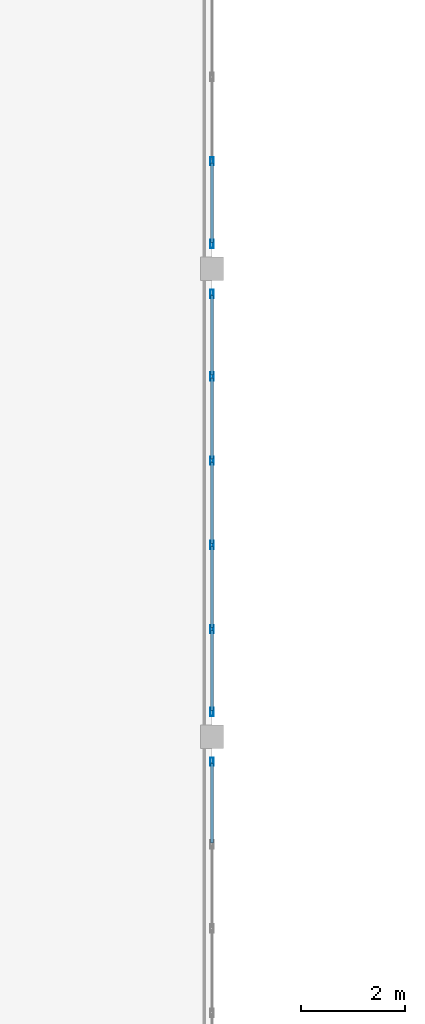
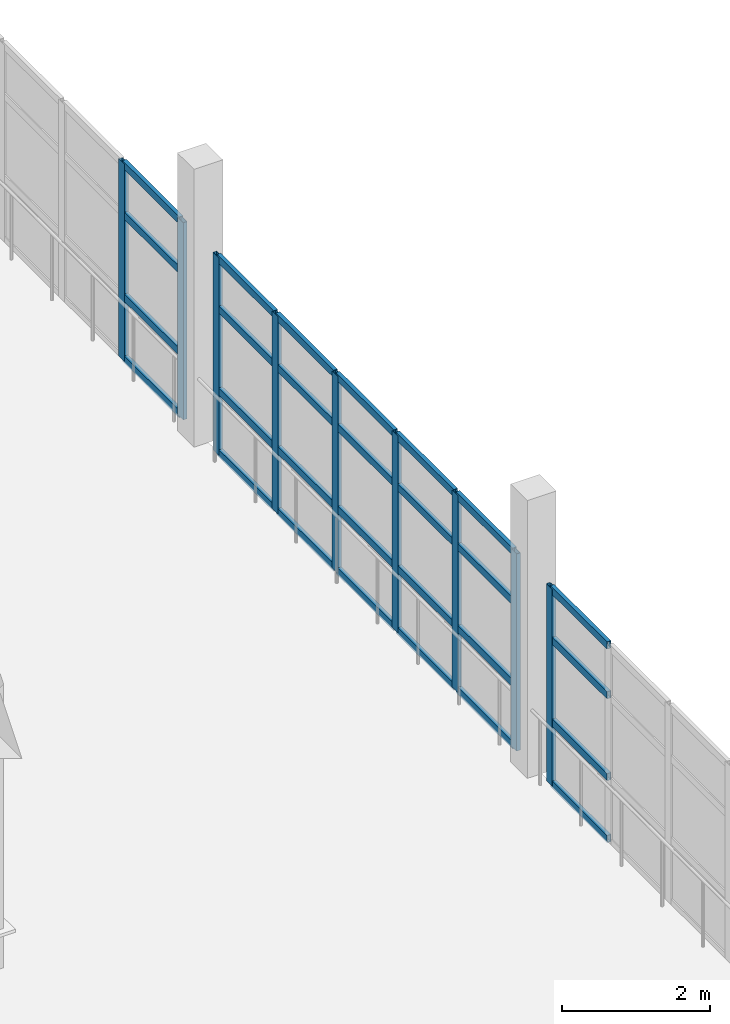
# One storey, part 15 of 80: 37 members, 3 elements without a shape of their own.
"""IFC4 building model written with IfcOpenShell, lengths in metres."""

from ifc_helpers import new_model, si_unit, direction, frame, origin, origin_2d, place, context, subcontext, project, spatial, hollow_rectangle, extrude, material, layer, layer_set, material_profile, profile_set, type_object, element, aggregate, save


model = new_model("IFC4")

# Units and contexts
model_context = context("Model", 3, precision=1e-05, world=origin(), true_north=direction((0.0, 1.0)))
body_context = subcontext(model_context, "Body", "Model", "MODEL_VIEW")
ifc_project = project(units=[si_unit("LENGTHUNIT", "METRE"), si_unit("AREAUNIT", "SQUARE_METRE"), si_unit("VOLUMEUNIT", "CUBIC_METRE"), si_unit("PLANEANGLEUNIT", "RADIAN"), si_unit("MASSUNIT", "GRAM", prefix="KILO")], contexts=[model_context])

# Site, building, storey
site_placement = place(None, origin())
site = spatial("IfcSite", under=ifc_project, at=site_placement, CompositionType="ELEMENT")
building_placement = place(site_placement, origin())
building = spatial("IfcBuilding", under=site, at=building_placement, Name="Ornek Quay Market", CompositionType="ELEMENT")
storey_placement = place(building_placement, frame((0.0, 0.0, 8.39990234375)))
storey = spatial("IfcBuildingStorey", under=building, at=storey_placement, Name="L02", CompositionType="ELEMENT", Elevation=8.39990234375)

# Curtain wall, member
ifc_material_1 = material(Name="Anodised bronze aluminium and triple low-e glass", Category="aluminium")
ifc_layer = layer(ifc_material_1, 0.139892578125, Name="Anodised bronze aluminium and triple low-e glass", Category="aluminium")
ifc_layer_set = layer_set([ifc_layer], Name="Anodised bronze aluminium and triple low-e glass")
curtain_wall_type = type_object("IfcCurtainWallType", Name="CW-GALLERY-INT", PredefinedType="USERDEFINED", material=ifc_layer_set)
curtain_wall_1_placement = place(storey_placement, origin())
curtain_wall_1 = element("IfcCurtainWall", 1, at=curtain_wall_1_placement, inside=storey, type_object=curtain_wall_type, Name="Curtain wall CW-111", ObjectType="CURTAIN WALL", PredefinedType="USERDEFINED")
ifc_material_2 = material(Name="Anodised aluminium 6063-T6", Category="aluminium")
ifc_material_profile_1 = material_profile(ifc_material_2, hollow_rectangle(XDim=0.06005859375, YDim=0.159912109375, WallThickness=0.00390625, at=origin_2d()), Name="CW-MUL-60x160", Category="aluminium")
ifc_profile_set_1 = profile_set([ifc_material_profile_1], Name="Anodised aluminium 6063-T6")
member_type_1 = type_object("IfcMemberType", Name="CW-MUL-60x160", PredefinedType="MULLION", material=ifc_profile_set_1)
member_1_placement = place(storey_placement, frame((72.0, 55.52001953125, 0.0), z_axis=(0.0, 0.0, 1.0), x_axis=(-1.0, 0.0, 0.0)))
member_1 = element("IfcMember", 2, at=member_1_placement, type_object=member_type_1, Name="CW-111 mullion 6", PredefinedType="MULLION", context=body_context, shape_type="SweptSolid", body=[
    extrude(hollow_rectangle(XDim=0.06005859375, YDim=0.159912109375, WallThickness=0.00390625, at=origin_2d()), origin(), (0.0, 0.0, 1.0), 3.25),
])

# Curtain wall, members
curtain_wall_2_placement = place(storey_placement, origin())
curtain_wall_2 = element("IfcCurtainWall", 3, at=curtain_wall_2_placement, inside=storey, type_object=curtain_wall_type, Name="Curtain wall CW-112", ObjectType="CURTAIN WALL", PredefinedType="USERDEFINED")
member_2_placement = place(storey_placement, frame((72.0, 56.47998046875, 0.0), z_axis=(0.0, 0.0, 1.0), x_axis=(-1.0, 0.0, 0.0)))
member_2 = element("IfcMember", 4, at=member_2_placement, type_object=member_type_1, Name="CW-112 mullion 1", PredefinedType="MULLION", context=body_context, shape_type="SweptSolid", body=[
    extrude(hollow_rectangle(XDim=0.06005859375, YDim=0.159912109375, WallThickness=0.00390625, at=origin_2d()), origin(), (0.0, 0.0, 1.0), 3.25),
])
member_3_placement = place(storey_placement, frame((72.0, 58.070068359375, 0.0), z_axis=(0.0, 0.0, 1.0), x_axis=(-1.0, 0.0, 0.0)))
member_3 = element("IfcMember", 5, at=member_3_placement, type_object=member_type_1, Name="CW-112 mullion 2", PredefinedType="MULLION", context=body_context, shape_type="SweptSolid", body=[
    extrude(hollow_rectangle(XDim=0.06005859375, YDim=0.159912109375, WallThickness=0.00390625, at=origin_2d()), origin(), (0.0, 0.0, 1.0), 3.25),
])
member_4_placement = place(storey_placement, frame((72.0, 59.68994140625, 0.0), z_axis=(0.0, 0.0, 1.0), x_axis=(-1.0, 0.0, 0.0)))
member_4 = element("IfcMember", 6, at=member_4_placement, type_object=member_type_1, Name="CW-112 mullion 3", PredefinedType="MULLION", context=body_context, shape_type="SweptSolid", body=[
    extrude(hollow_rectangle(XDim=0.06005859375, YDim=0.159912109375, WallThickness=0.00390625, at=origin_2d()), origin(), (0.0, 0.0, 1.0), 3.25),
])
member_5_placement = place(storey_placement, frame((72.0, 61.31005859375, 0.0), z_axis=(0.0, 0.0, 1.0), x_axis=(-1.0, 0.0, 0.0)))
member_5 = element("IfcMember", 7, at=member_5_placement, type_object=member_type_1, Name="CW-112 mullion 4", PredefinedType="MULLION", context=body_context, shape_type="SweptSolid", body=[
    extrude(hollow_rectangle(XDim=0.06005859375, YDim=0.159912109375, WallThickness=0.00390625, at=origin_2d()), origin(), (0.0, 0.0, 1.0), 3.25),
])
member_6_placement = place(storey_placement, frame((72.0, 62.929931640625, 0.0), z_axis=(0.0, 0.0, 1.0), x_axis=(-1.0, 0.0, 0.0)))
member_6 = element("IfcMember", 8, at=member_6_placement, type_object=member_type_1, Name="CW-112 mullion 5", PredefinedType="MULLION", context=body_context, shape_type="SweptSolid", body=[
    extrude(hollow_rectangle(XDim=0.06005859375, YDim=0.159912109375, WallThickness=0.00390625, at=origin_2d()), origin(), (0.0, 0.0, 1.0), 3.25),
])
member_7_placement = place(storey_placement, frame((72.0, 64.52001953125, 0.0), z_axis=(0.0, 0.0, 1.0), x_axis=(-1.0, 0.0, 0.0)))
member_7 = element("IfcMember", 9, at=member_7_placement, type_object=member_type_1, Name="CW-112 mullion 6", PredefinedType="MULLION", context=body_context, shape_type="SweptSolid", body=[
    extrude(hollow_rectangle(XDim=0.06005859375, YDim=0.159912109375, WallThickness=0.00390625, at=origin_2d()), origin(), (0.0, 0.0, 1.0), 3.25),
])

curtain_wall_3_placement = place(storey_placement, origin())
curtain_wall_3 = element("IfcCurtainWall", 10, at=curtain_wall_3_placement, inside=storey, type_object=curtain_wall_type, Name="Curtain wall CW-113", ObjectType="CURTAIN WALL", PredefinedType="USERDEFINED")
member_8_placement = place(storey_placement, frame((72.0, 65.47998046875, 0.0), z_axis=(0.0, 0.0, 1.0), x_axis=(-1.0, 0.0, 0.0)))
member_8 = element("IfcMember", 11, at=member_8_placement, type_object=member_type_1, Name="CW-113 mullion 1", PredefinedType="MULLION", context=body_context, shape_type="SweptSolid", body=[
    extrude(hollow_rectangle(XDim=0.06005859375, YDim=0.159912109375, WallThickness=0.00390625, at=origin_2d()), origin(), (0.0, 0.0, 1.0), 3.25),
])
member_9_placement = place(storey_placement, frame((72.0, 67.070068359375, 0.0), z_axis=(0.0, 0.0, 1.0), x_axis=(-1.0, 0.0, 0.0)))
member_9 = element("IfcMember", 12, at=member_9_placement, type_object=member_type_1, Name="CW-113 mullion 2", PredefinedType="MULLION", context=body_context, shape_type="SweptSolid", body=[
    extrude(hollow_rectangle(XDim=0.06005859375, YDim=0.159912109375, WallThickness=0.00390625, at=origin_2d()), origin(), (0.0, 0.0, 1.0), 3.25),
])

# Member
ifc_material_profile_2 = material_profile(ifc_material_2, hollow_rectangle(XDim=0.06005859375, YDim=0.1201171875, WallThickness=0.00390625, at=origin_2d()), Name="CW-TRN-60x120", Category="aluminium")
ifc_profile_set_2 = profile_set([ifc_material_profile_2], Name="Anodised aluminium 6063-T6")
member_type_2 = type_object("IfcMemberType", Name="CW-TRN-60x120", PredefinedType="USERDEFINED", material=ifc_profile_set_2)
member_10_placement = place(storey_placement, frame((72.0, 53.9599609375, 0.030029296875), z_axis=(0.0, 1.0, 0.0), x_axis=(-1.0, 0.0, 0.0)))
member_10 = element("IfcMember", 13, at=member_10_placement, type_object=member_type_2, Name="CW-111 transom 5.1", ObjectType="TRANSOM", PredefinedType="USERDEFINED", context=body_context, shape_type="SweptSolid", body=[
    extrude(hollow_rectangle(XDim=0.06005859375, YDim=0.1201171875, WallThickness=0.00390625, at=origin_2d()), origin(), (0.0, 0.0, 1.0), 1.530029296875),
])

member_11_placement = place(storey_placement, frame((72.0, 53.9599609375, 1.050048828125), z_axis=(0.0, 1.0, 0.0), x_axis=(-1.0, 0.0, 0.0)))
member_11 = element("IfcMember", 14, at=member_11_placement, type_object=member_type_2, Name="CW-111 transom 5.2", ObjectType="TRANSOM", PredefinedType="USERDEFINED", context=body_context, shape_type="SweptSolid", body=[
    extrude(hollow_rectangle(XDim=0.06005859375, YDim=0.1201171875, WallThickness=0.00390625, at=origin_2d()), origin(), (0.0, 0.0, 1.0), 1.530029296875),
])

member_12_placement = place(storey_placement, frame((72.0, 53.9599609375, 2.400146484375), z_axis=(0.0, 1.0, 0.0), x_axis=(-1.0, 0.0, 0.0)))
member_12 = element("IfcMember", 15, at=member_12_placement, type_object=member_type_2, Name="CW-111 transom 5.3", ObjectType="TRANSOM", PredefinedType="USERDEFINED", context=body_context, shape_type="SweptSolid", body=[
    extrude(hollow_rectangle(XDim=0.06005859375, YDim=0.1201171875, WallThickness=0.00390625, at=origin_2d()), origin(), (0.0, 0.0, 1.0), 1.530029296875),
])

member_13_placement = place(storey_placement, frame((72.0, 53.9599609375, 3.22021484375), z_axis=(0.0, 1.0, 0.0), x_axis=(-1.0, 0.0, 0.0)))
member_13 = element("IfcMember", 16, at=member_13_placement, type_object=member_type_2, Name="CW-111 transom 5.4", ObjectType="TRANSOM", PredefinedType="USERDEFINED", context=body_context, shape_type="SweptSolid", body=[
    extrude(hollow_rectangle(XDim=0.06005859375, YDim=0.1201171875, WallThickness=0.00390625, at=origin_2d()), origin(), (0.0, 0.0, 1.0), 1.530029296875),
])

aggregate(curtain_wall_1, [member_1, member_10, member_11, member_12, member_13])

member_14_placement = place(storey_placement, frame((72.0, 56.510009765625, 0.030029296875), z_axis=(0.0, 1.0, 0.0), x_axis=(-1.0, 0.0, 0.0)))
member_14 = element("IfcMember", 17, at=member_14_placement, type_object=member_type_2, Name="CW-112 transom 1.1", ObjectType="TRANSOM", PredefinedType="USERDEFINED", context=body_context, shape_type="SweptSolid", body=[
    extrude(hollow_rectangle(XDim=0.06005859375, YDim=0.1201171875, WallThickness=0.00390625, at=origin_2d()), origin(), (0.0, 0.0, 1.0), 1.530029296875),
])

member_15_placement = place(storey_placement, frame((72.0, 56.510009765625, 1.050048828125), z_axis=(0.0, 1.0, 0.0), x_axis=(-1.0, 0.0, 0.0)))
member_15 = element("IfcMember", 18, at=member_15_placement, type_object=member_type_2, Name="CW-112 transom 1.2", ObjectType="TRANSOM", PredefinedType="USERDEFINED", context=body_context, shape_type="SweptSolid", body=[
    extrude(hollow_rectangle(XDim=0.06005859375, YDim=0.1201171875, WallThickness=0.00390625, at=origin_2d()), origin(), (0.0, 0.0, 1.0), 1.530029296875),
])

member_16_placement = place(storey_placement, frame((72.0, 56.510009765625, 2.400146484375), z_axis=(0.0, 1.0, 0.0), x_axis=(-1.0, 0.0, 0.0)))
member_16 = element("IfcMember", 19, at=member_16_placement, type_object=member_type_2, Name="CW-112 transom 1.3", ObjectType="TRANSOM", PredefinedType="USERDEFINED", context=body_context, shape_type="SweptSolid", body=[
    extrude(hollow_rectangle(XDim=0.06005859375, YDim=0.1201171875, WallThickness=0.00390625, at=origin_2d()), origin(), (0.0, 0.0, 1.0), 1.530029296875),
])

member_17_placement = place(storey_placement, frame((72.0, 56.510009765625, 3.22021484375), z_axis=(0.0, 1.0, 0.0), x_axis=(-1.0, 0.0, 0.0)))
member_17 = element("IfcMember", 20, at=member_17_placement, type_object=member_type_2, Name="CW-112 transom 1.4", ObjectType="TRANSOM", PredefinedType="USERDEFINED", context=body_context, shape_type="SweptSolid", body=[
    extrude(hollow_rectangle(XDim=0.06005859375, YDim=0.1201171875, WallThickness=0.00390625, at=origin_2d()), origin(), (0.0, 0.0, 1.0), 1.530029296875),
])

member_18_placement = place(storey_placement, frame((72.0, 58.10009765625, 0.030029296875), z_axis=(0.0, 1.0, 0.0), x_axis=(-1.0, 0.0, 0.0)))
member_18 = element("IfcMember", 21, at=member_18_placement, type_object=member_type_2, Name="CW-112 transom 2.1", ObjectType="TRANSOM", PredefinedType="USERDEFINED", context=body_context, shape_type="SweptSolid", body=[
    extrude(hollow_rectangle(XDim=0.06005859375, YDim=0.1201171875, WallThickness=0.00390625, at=origin_2d()), origin(), (0.0, 0.0, 1.0), 1.559814453125),
])

member_19_placement = place(storey_placement, frame((72.0, 58.10009765625, 1.050048828125), z_axis=(0.0, 1.0, 0.0), x_axis=(-1.0, 0.0, 0.0)))
member_19 = element("IfcMember", 22, at=member_19_placement, type_object=member_type_2, Name="CW-112 transom 2.2", ObjectType="TRANSOM", PredefinedType="USERDEFINED", context=body_context, shape_type="SweptSolid", body=[
    extrude(hollow_rectangle(XDim=0.06005859375, YDim=0.1201171875, WallThickness=0.00390625, at=origin_2d()), origin(), (0.0, 0.0, 1.0), 1.559814453125),
])

member_20_placement = place(storey_placement, frame((72.0, 58.10009765625, 2.400146484375), z_axis=(0.0, 1.0, 0.0), x_axis=(-1.0, 0.0, 0.0)))
member_20 = element("IfcMember", 23, at=member_20_placement, type_object=member_type_2, Name="CW-112 transom 2.3", ObjectType="TRANSOM", PredefinedType="USERDEFINED", context=body_context, shape_type="SweptSolid", body=[
    extrude(hollow_rectangle(XDim=0.06005859375, YDim=0.1201171875, WallThickness=0.00390625, at=origin_2d()), origin(), (0.0, 0.0, 1.0), 1.559814453125),
])

member_21_placement = place(storey_placement, frame((72.0, 58.10009765625, 3.22021484375), z_axis=(0.0, 1.0, 0.0), x_axis=(-1.0, 0.0, 0.0)))
member_21 = element("IfcMember", 24, at=member_21_placement, type_object=member_type_2, Name="CW-112 transom 2.4", ObjectType="TRANSOM", PredefinedType="USERDEFINED", context=body_context, shape_type="SweptSolid", body=[
    extrude(hollow_rectangle(XDim=0.06005859375, YDim=0.1201171875, WallThickness=0.00390625, at=origin_2d()), origin(), (0.0, 0.0, 1.0), 1.559814453125),
])

member_22_placement = place(storey_placement, frame((72.0, 59.719970703125, 0.030029296875), z_axis=(0.0, 1.0, 0.0), x_axis=(-1.0, 0.0, 0.0)))
member_22 = element("IfcMember", 25, at=member_22_placement, type_object=member_type_2, Name="CW-112 transom 3.1", ObjectType="TRANSOM", PredefinedType="USERDEFINED", context=body_context, shape_type="SweptSolid", body=[
    extrude(hollow_rectangle(XDim=0.06005859375, YDim=0.1201171875, WallThickness=0.00390625, at=origin_2d()), origin(), (0.0, 0.0, 1.0), 1.56005859375),
])

member_23_placement = place(storey_placement, frame((72.0, 59.719970703125, 1.050048828125), z_axis=(0.0, 1.0, 0.0), x_axis=(-1.0, 0.0, 0.0)))
member_23 = element("IfcMember", 26, at=member_23_placement, type_object=member_type_2, Name="CW-112 transom 3.2", ObjectType="TRANSOM", PredefinedType="USERDEFINED", context=body_context, shape_type="SweptSolid", body=[
    extrude(hollow_rectangle(XDim=0.06005859375, YDim=0.1201171875, WallThickness=0.00390625, at=origin_2d()), origin(), (0.0, 0.0, 1.0), 1.56005859375),
])

member_24_placement = place(storey_placement, frame((72.0, 59.719970703125, 2.400146484375), z_axis=(0.0, 1.0, 0.0), x_axis=(-1.0, 0.0, 0.0)))
member_24 = element("IfcMember", 27, at=member_24_placement, type_object=member_type_2, Name="CW-112 transom 3.3", ObjectType="TRANSOM", PredefinedType="USERDEFINED", context=body_context, shape_type="SweptSolid", body=[
    extrude(hollow_rectangle(XDim=0.06005859375, YDim=0.1201171875, WallThickness=0.00390625, at=origin_2d()), origin(), (0.0, 0.0, 1.0), 1.56005859375),
])

member_25_placement = place(storey_placement, frame((72.0, 59.719970703125, 3.22021484375), z_axis=(0.0, 1.0, 0.0), x_axis=(-1.0, 0.0, 0.0)))
member_25 = element("IfcMember", 28, at=member_25_placement, type_object=member_type_2, Name="CW-112 transom 3.4", ObjectType="TRANSOM", PredefinedType="USERDEFINED", context=body_context, shape_type="SweptSolid", body=[
    extrude(hollow_rectangle(XDim=0.06005859375, YDim=0.1201171875, WallThickness=0.00390625, at=origin_2d()), origin(), (0.0, 0.0, 1.0), 1.56005859375),
])

member_26_placement = place(storey_placement, frame((72.0, 61.340087890625, 0.030029296875), z_axis=(0.0, 1.0, 0.0), x_axis=(-1.0, 0.0, 0.0)))
member_26 = element("IfcMember", 29, at=member_26_placement, type_object=member_type_2, Name="CW-112 transom 4.1", ObjectType="TRANSOM", PredefinedType="USERDEFINED", context=body_context, shape_type="SweptSolid", body=[
    extrude(hollow_rectangle(XDim=0.06005859375, YDim=0.1201171875, WallThickness=0.00390625, at=origin_2d()), origin(), (0.0, 0.0, 1.0), 1.559814453125),
])

member_27_placement = place(storey_placement, frame((72.0, 61.340087890625, 1.050048828125), z_axis=(0.0, 1.0, 0.0), x_axis=(-1.0, 0.0, 0.0)))
member_27 = element("IfcMember", 30, at=member_27_placement, type_object=member_type_2, Name="CW-112 transom 4.2", ObjectType="TRANSOM", PredefinedType="USERDEFINED", context=body_context, shape_type="SweptSolid", body=[
    extrude(hollow_rectangle(XDim=0.06005859375, YDim=0.1201171875, WallThickness=0.00390625, at=origin_2d()), origin(), (0.0, 0.0, 1.0), 1.559814453125),
])

member_28_placement = place(storey_placement, frame((72.0, 61.340087890625, 2.400146484375), z_axis=(0.0, 1.0, 0.0), x_axis=(-1.0, 0.0, 0.0)))
member_28 = element("IfcMember", 31, at=member_28_placement, type_object=member_type_2, Name="CW-112 transom 4.3", ObjectType="TRANSOM", PredefinedType="USERDEFINED", context=body_context, shape_type="SweptSolid", body=[
    extrude(hollow_rectangle(XDim=0.06005859375, YDim=0.1201171875, WallThickness=0.00390625, at=origin_2d()), origin(), (0.0, 0.0, 1.0), 1.559814453125),
])

member_29_placement = place(storey_placement, frame((72.0, 61.340087890625, 3.22021484375), z_axis=(0.0, 1.0, 0.0), x_axis=(-1.0, 0.0, 0.0)))
member_29 = element("IfcMember", 32, at=member_29_placement, type_object=member_type_2, Name="CW-112 transom 4.4", ObjectType="TRANSOM", PredefinedType="USERDEFINED", context=body_context, shape_type="SweptSolid", body=[
    extrude(hollow_rectangle(XDim=0.06005859375, YDim=0.1201171875, WallThickness=0.00390625, at=origin_2d()), origin(), (0.0, 0.0, 1.0), 1.559814453125),
])

member_30_placement = place(storey_placement, frame((72.0, 62.9599609375, 0.030029296875), z_axis=(0.0, 1.0, 0.0), x_axis=(-1.0, 0.0, 0.0)))
member_30 = element("IfcMember", 33, at=member_30_placement, type_object=member_type_2, Name="CW-112 transom 5.1", ObjectType="TRANSOM", PredefinedType="USERDEFINED", context=body_context, shape_type="SweptSolid", body=[
    extrude(hollow_rectangle(XDim=0.06005859375, YDim=0.1201171875, WallThickness=0.00390625, at=origin_2d()), origin(), (0.0, 0.0, 1.0), 1.530029296875),
])

member_31_placement = place(storey_placement, frame((72.0, 62.9599609375, 1.050048828125), z_axis=(0.0, 1.0, 0.0), x_axis=(-1.0, 0.0, 0.0)))
member_31 = element("IfcMember", 34, at=member_31_placement, type_object=member_type_2, Name="CW-112 transom 5.2", ObjectType="TRANSOM", PredefinedType="USERDEFINED", context=body_context, shape_type="SweptSolid", body=[
    extrude(hollow_rectangle(XDim=0.06005859375, YDim=0.1201171875, WallThickness=0.00390625, at=origin_2d()), origin(), (0.0, 0.0, 1.0), 1.530029296875),
])

member_32_placement = place(storey_placement, frame((72.0, 62.9599609375, 2.400146484375), z_axis=(0.0, 1.0, 0.0), x_axis=(-1.0, 0.0, 0.0)))
member_32 = element("IfcMember", 35, at=member_32_placement, type_object=member_type_2, Name="CW-112 transom 5.3", ObjectType="TRANSOM", PredefinedType="USERDEFINED", context=body_context, shape_type="SweptSolid", body=[
    extrude(hollow_rectangle(XDim=0.06005859375, YDim=0.1201171875, WallThickness=0.00390625, at=origin_2d()), origin(), (0.0, 0.0, 1.0), 1.530029296875),
])

member_33_placement = place(storey_placement, frame((72.0, 62.9599609375, 3.22021484375), z_axis=(0.0, 1.0, 0.0), x_axis=(-1.0, 0.0, 0.0)))
member_33 = element("IfcMember", 36, at=member_33_placement, type_object=member_type_2, Name="CW-112 transom 5.4", ObjectType="TRANSOM", PredefinedType="USERDEFINED", context=body_context, shape_type="SweptSolid", body=[
    extrude(hollow_rectangle(XDim=0.06005859375, YDim=0.1201171875, WallThickness=0.00390625, at=origin_2d()), origin(), (0.0, 0.0, 1.0), 1.530029296875),
])

aggregate(curtain_wall_2, [member_2, member_3, member_4, member_5, member_6, member_7, member_14, member_15, member_16, member_17, member_18, member_19, member_20, member_21, member_22, member_23, member_24, member_25, member_26, member_27, member_28, member_29, member_30, member_31, member_32, member_33])

member_34_placement = place(storey_placement, frame((72.0, 65.510009765625, 0.030029296875), z_axis=(0.0, 1.0, 0.0), x_axis=(-1.0, 0.0, 0.0)))
member_34 = element("IfcMember", 37, at=member_34_placement, type_object=member_type_2, Name="CW-113 transom 1.1", ObjectType="TRANSOM", PredefinedType="USERDEFINED", context=body_context, shape_type="SweptSolid", body=[
    extrude(hollow_rectangle(XDim=0.06005859375, YDim=0.1201171875, WallThickness=0.00390625, at=origin_2d()), origin(), (0.0, 0.0, 1.0), 1.530029296875),
])

member_35_placement = place(storey_placement, frame((72.0, 65.510009765625, 1.050048828125), z_axis=(0.0, 1.0, 0.0), x_axis=(-1.0, 0.0, 0.0)))
member_35 = element("IfcMember", 38, at=member_35_placement, type_object=member_type_2, Name="CW-113 transom 1.2", ObjectType="TRANSOM", PredefinedType="USERDEFINED", context=body_context, shape_type="SweptSolid", body=[
    extrude(hollow_rectangle(XDim=0.06005859375, YDim=0.1201171875, WallThickness=0.00390625, at=origin_2d()), origin(), (0.0, 0.0, 1.0), 1.530029296875),
])

member_36_placement = place(storey_placement, frame((72.0, 65.510009765625, 2.400146484375), z_axis=(0.0, 1.0, 0.0), x_axis=(-1.0, 0.0, 0.0)))
member_36 = element("IfcMember", 39, at=member_36_placement, type_object=member_type_2, Name="CW-113 transom 1.3", ObjectType="TRANSOM", PredefinedType="USERDEFINED", context=body_context, shape_type="SweptSolid", body=[
    extrude(hollow_rectangle(XDim=0.06005859375, YDim=0.1201171875, WallThickness=0.00390625, at=origin_2d()), origin(), (0.0, 0.0, 1.0), 1.530029296875),
])

member_37_placement = place(storey_placement, frame((72.0, 65.510009765625, 3.22021484375), z_axis=(0.0, 1.0, 0.0), x_axis=(-1.0, 0.0, 0.0)))
member_37 = element("IfcMember", 40, at=member_37_placement, type_object=member_type_2, Name="CW-113 transom 1.4", ObjectType="TRANSOM", PredefinedType="USERDEFINED", context=body_context, shape_type="SweptSolid", body=[
    extrude(hollow_rectangle(XDim=0.06005859375, YDim=0.1201171875, WallThickness=0.00390625, at=origin_2d()), origin(), (0.0, 0.0, 1.0), 1.530029296875),
])

aggregate(curtain_wall_3, [member_8, member_9, member_34, member_35, member_36, member_37])

save(model, "model.ifc")
